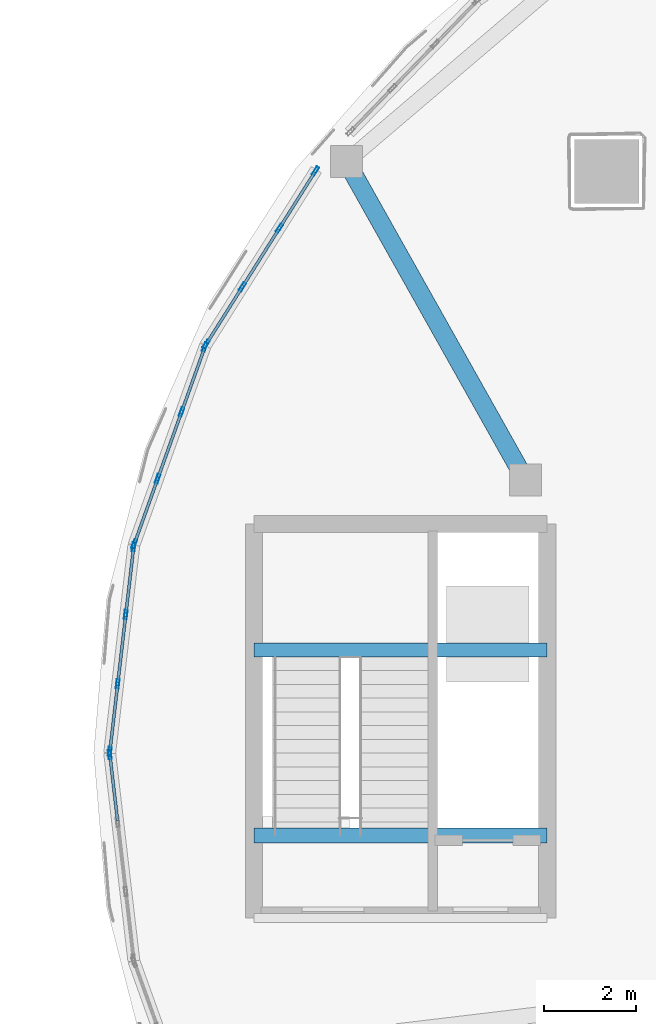
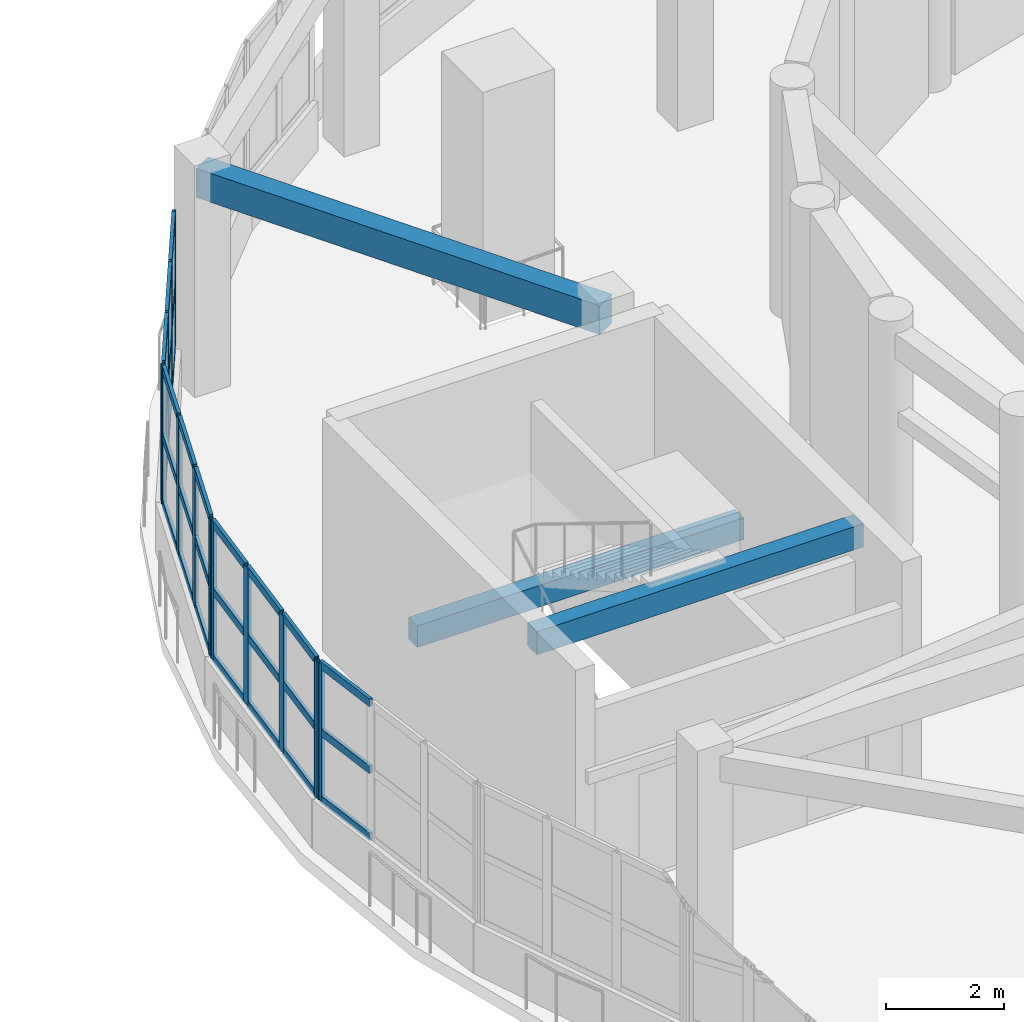
# One storey, part 38 of 98: 43 members, 3 beams, 4 elements without a shape of their own.
"""IFC4 building model written with IfcOpenShell, lengths in metres."""

from ifc_helpers import new_model, si_unit, direction, frame, origin, origin_2d, place, context, subcontext, project, spatial, rectangle, hollow_rectangle, extrude, material, layer, layer_set, material_profile, profile_set, type_object, element, aggregate, save


model = new_model("IFC4")

# Units and contexts
model_context = context("Model", 3, precision=1e-05, world=origin(), true_north=direction((0.0, 1.0)))
body_context = subcontext(model_context, "Body", "Model", "MODEL_VIEW")
ifc_project = project(units=[si_unit("LENGTHUNIT", "METRE"), si_unit("AREAUNIT", "SQUARE_METRE"), si_unit("VOLUMEUNIT", "CUBIC_METRE"), si_unit("PLANEANGLEUNIT", "RADIAN"), si_unit("MASSUNIT", "GRAM", prefix="KILO")], contexts=[model_context])

# Site, building, storey
site_placement = place(None, origin())
site = spatial("IfcSite", under=ifc_project, at=site_placement, CompositionType="ELEMENT")
building_placement = place(site_placement, origin())
building = spatial("IfcBuilding", under=site, at=building_placement, Name="Pelvatis Terrace Science Centre", CompositionType="ELEMENT")
storey_placement = place(building_placement, frame((0.0, 0.0, 5.39990234375)))
storey = spatial("IfcBuildingStorey", under=building, at=storey_placement, Name="L01", CompositionType="ELEMENT", Elevation=5.39990234375)

# Beams
ifc_material_1 = material(Name="Concrete C35/45", Category="concrete")
ifc_material_profile_1 = material_profile(ifc_material_1, rectangle(XDim=0.300048828125, YDim=0.449951171875, at=origin_2d()), Name="RC-BM 300x450")
ifc_profile_set_1 = profile_set([ifc_material_profile_1], Name="Concrete C35/45")
beam_type_1 = type_object("IfcBeamType", Name="BM-RC-300x450", PredefinedType="BEAM", material=ifc_profile_set_1)
beam_1_placement = place(storey_placement, frame((86.800048828125, 85.050048828125, 1.97509765625), z_axis=(1.0, 0.0, 0.0), x_axis=(0.0, 1.0, 0.0)))
element("IfcBeam", 1, at=beam_1_placement, inside=storey, type_object=beam_type_1, Name="Core C1 half-landing beam (L01)", PredefinedType="BEAM", context=body_context, shape_type="SweptSolid", body=[
    extrude(rectangle(XDim=0.300048828125, YDim=0.449951171875, at=origin_2d()), origin(), (0.0, 0.0, 1.0), 6.39990234375),
])
ifc_material_2 = material(Name="Concrete C35/45", Category="concrete")
ifc_material_profile_2 = material_profile(ifc_material_2, rectangle(XDim=0.320068359375, YDim=0.47998046875, at=origin_2d()), Name="RC-BM 320x480")
ifc_profile_set_2 = profile_set([ifc_material_profile_2], Name="Concrete C35/45")
beam_type_2 = type_object("IfcBeamType", Name="BM-RC-320x480", PredefinedType="BEAM", material=ifc_profile_set_2)
beam_2_placement = place(storey_placement, frame((86.800048828125, 81.0, 4.300048828125), z_axis=(1.0, 0.0, 0.0), x_axis=(0.0, 1.0, 0.0)))
element("IfcBeam", 2, at=beam_2_placement, inside=storey, type_object=beam_type_2, Name="Core C1 stair header beam (L01)", PredefinedType="BEAM", context=body_context, shape_type="SweptSolid", body=[
    extrude(rectangle(XDim=0.320068359375, YDim=0.47998046875, at=origin_2d()), origin(), (0.0, 0.0, 1.0), 6.39990234375),
])
ifc_material_3 = material(Name="Concrete C35/45", Category="concrete")
ifc_material_profile_3 = material_profile(ifc_material_3, rectangle(XDim=0.39990234375, YDim=0.60009765625, at=origin_2d()), Name="RC-BM 400x600")
ifc_profile_set_3 = profile_set([ifc_material_profile_3], Name="Concrete C35/45")
beam_type_3 = type_object("IfcBeamType", Name="BM-RC-400x600", PredefinedType="BEAM", material=ifc_profile_set_3)
beam_3_placement = place(storey_placement, frame((88.8203125, 95.71142578125, 4.239990234375), z_axis=(0.489826177205, -0.871820116839, 0.0), x_axis=(0.871820116839, 0.489826177205, 0.0)))
element("IfcBeam", 3, at=beam_3_placement, inside=storey, type_object=beam_type_3, Name="Beam BM-L01-2635", PredefinedType="BEAM", context=body_context, shape_type="SweptSolid", body=[
    extrude(rectangle(XDim=0.39990234375, YDim=0.60009765625, at=origin_2d()), origin(), (0.0, 0.0, 1.0), 7.96728515625),
])

# Curtain wall, members
ifc_material_4 = material(Name="Bronze-anodised aluminium and laminated glass", Category="aluminium")
ifc_layer = layer(ifc_material_4, 0.199951171875)
ifc_layer_set = layer_set([ifc_layer], Name="Bronze-anodised aluminium and laminated glass")
curtain_wall_type = type_object("IfcCurtainWallType", Name="CW-RIBBON-B", PredefinedType="NOTDEFINED", material=ifc_layer_set)
curtain_wall_1_placement = place(storey_placement, origin())
curtain_wall_1 = element("IfcCurtainWall", 4, at=curtain_wall_1_placement, inside=storey, type_object=curtain_wall_type, Name="Ribbon curtain wall CW-138 (L01)", PredefinedType="NOTDEFINED")
ifc_material_5 = material(Name="Bronze-anodised aluminium 6063-T6", Category="aluminium")
ifc_material_profile_4 = material_profile(ifc_material_5, hollow_rectangle(XDim=0.06494140625, YDim=0.199951171875, WallThickness=0.00439453125, at=origin_2d()), Name="ALU-MUL 65x200")
ifc_profile_set_4 = profile_set([ifc_material_profile_4], Name="Bronze-anodised aluminium 6063-T6")
member_type_1 = type_object("IfcMemberType", Name="CWM-65x200", PredefinedType="MULLION", material=ifc_profile_set_4)
member_1_placement = place(storey_placement, frame((88.14453125, 95.50830078125, 1.02001953125), z_axis=(0.0, 0.0, 1.0), x_axis=(0.845683079281, -0.533685421777, 0.0)))
member_1 = element("IfcMember", 5, at=member_1_placement, type_object=member_type_1, Name="CW-138 mullion 1", PredefinedType="MULLION", context=body_context, shape_type="SweptSolid", body=[
    extrude(hollow_rectangle(XDim=0.06494140625, YDim=0.199951171875, WallThickness=0.00439453125, at=origin_2d()), origin(), (0.0, 0.0, 1.0), 2.840087890625),
])
member_2_placement = place(storey_placement, frame((87.354248046875, 94.25634765625, 1.02001953125), z_axis=(0.0, 0.0, 1.0), x_axis=(0.845683079281, -0.533685421777, 0.0)))
member_2 = element("IfcMember", 6, at=member_2_placement, type_object=member_type_1, Name="CW-138 mullion 2", PredefinedType="MULLION", context=body_context, shape_type="SweptSolid", body=[
    extrude(hollow_rectangle(XDim=0.06494140625, YDim=0.199951171875, WallThickness=0.00439453125, at=origin_2d()), origin(), (0.0, 0.0, 1.0), 2.840087890625),
])
member_3_placement = place(storey_placement, frame((86.546875, 92.976806640625, 1.02001953125), z_axis=(0.0, 0.0, 1.0), x_axis=(0.845683079281, -0.533685421777, 0.0)))
member_3 = element("IfcMember", 7, at=member_3_placement, type_object=member_type_1, Name="CW-138 mullion 3", PredefinedType="MULLION", context=body_context, shape_type="SweptSolid", body=[
    extrude(hollow_rectangle(XDim=0.06494140625, YDim=0.199951171875, WallThickness=0.00439453125, at=origin_2d()), origin(), (0.0, 0.0, 1.0), 2.840087890625),
])
member_4_placement = place(storey_placement, frame((85.7568359375, 91.724853515625, 1.02001953125), z_axis=(0.0, 0.0, 1.0), x_axis=(0.845683079281, -0.533685421777, 0.0)))
member_4 = element("IfcMember", 8, at=member_4_placement, type_object=member_type_1, Name="CW-138 mullion 4", PredefinedType="MULLION", context=body_context, shape_type="SweptSolid", body=[
    extrude(hollow_rectangle(XDim=0.06494140625, YDim=0.199951171875, WallThickness=0.00439453125, at=origin_2d()), origin(), (0.0, 0.0, 1.0), 2.840087890625),
])

curtain_wall_2_placement = place(storey_placement, origin())
curtain_wall_2 = element("IfcCurtainWall", 9, at=curtain_wall_2_placement, inside=storey, type_object=curtain_wall_type, Name="Ribbon curtain wall CW-139 (L01)", PredefinedType="NOTDEFINED")
member_5_placement = place(storey_placement, frame((85.728515625, 91.666748046875, 1.02001953125), z_axis=(0.0, 0.0, 1.0), x_axis=(0.941441694511, -0.337175823328, 0.0)))
member_5 = element("IfcMember", 10, at=member_5_placement, type_object=member_type_1, Name="CW-139 mullion 1", PredefinedType="MULLION", context=body_context, shape_type="SweptSolid", body=[
    extrude(hollow_rectangle(XDim=0.06494140625, YDim=0.199951171875, WallThickness=0.00439453125, at=origin_2d()), origin(), (0.0, 0.0, 1.0), 2.840087890625),
])
member_6_placement = place(storey_placement, frame((85.21875, 90.24365234375, 1.02001953125), z_axis=(0.0, 0.0, 1.0), x_axis=(0.941441694511, -0.337175823328, 0.0)))
member_6 = element("IfcMember", 11, at=member_6_placement, type_object=member_type_1, Name="CW-139 mullion 2", PredefinedType="MULLION", context=body_context, shape_type="SweptSolid", body=[
    extrude(hollow_rectangle(XDim=0.06494140625, YDim=0.199951171875, WallThickness=0.00439453125, at=origin_2d()), origin(), (0.0, 0.0, 1.0), 2.840087890625),
])
member_7_placement = place(storey_placement, frame((84.697998046875, 88.78955078125, 1.02001953125), z_axis=(0.0, 0.0, 1.0), x_axis=(0.941441694511, -0.337175823328, 0.0)))
member_7 = element("IfcMember", 12, at=member_7_placement, type_object=member_type_1, Name="CW-139 mullion 3", PredefinedType="MULLION", context=body_context, shape_type="SweptSolid", body=[
    extrude(hollow_rectangle(XDim=0.06494140625, YDim=0.199951171875, WallThickness=0.00439453125, at=origin_2d()), origin(), (0.0, 0.0, 1.0), 2.840087890625),
])
member_8_placement = place(storey_placement, frame((84.1884765625, 87.366455078125, 1.02001953125), z_axis=(0.0, 0.0, 1.0), x_axis=(0.941441694511, -0.337175823328, 0.0)))
member_8 = element("IfcMember", 13, at=member_8_placement, type_object=member_type_1, Name="CW-139 mullion 4", PredefinedType="MULLION", context=body_context, shape_type="SweptSolid", body=[
    extrude(hollow_rectangle(XDim=0.06494140625, YDim=0.199951171875, WallThickness=0.00439453125, at=origin_2d()), origin(), (0.0, 0.0, 1.0), 2.840087890625),
])

curtain_wall_3_placement = place(storey_placement, origin())
curtain_wall_3 = element("IfcCurtainWall", 14, at=curtain_wall_3_placement, inside=storey, type_object=curtain_wall_type, Name="Ribbon curtain wall CW-140 (L01)", PredefinedType="NOTDEFINED")
member_9_placement = place(storey_placement, frame((84.173583984375, 87.303466796875, 1.02001953125), z_axis=(0.0, 0.0, 1.0), x_axis=(0.993307847727, -0.115496838239, 0.0)))
member_9 = element("IfcMember", 15, at=member_9_placement, type_object=member_type_1, Name="CW-140 mullion 1", PredefinedType="MULLION", context=body_context, shape_type="SweptSolid", body=[
    extrude(hollow_rectangle(XDim=0.06494140625, YDim=0.199951171875, WallThickness=0.00439453125, at=origin_2d()), origin(), (0.0, 0.0, 1.0), 2.840087890625),
])
member_10_placement = place(storey_placement, frame((84.001708984375, 85.823974609375, 1.02001953125), z_axis=(0.0, 0.0, 1.0), x_axis=(0.993307847727, -0.115496838239, 0.0)))
member_10 = element("IfcMember", 16, at=member_10_placement, type_object=member_type_1, Name="CW-140 mullion 2", PredefinedType="MULLION", context=body_context, shape_type="SweptSolid", body=[
    extrude(hollow_rectangle(XDim=0.06494140625, YDim=0.199951171875, WallThickness=0.00439453125, at=origin_2d()), origin(), (0.0, 0.0, 1.0), 2.840087890625),
])
member_11_placement = place(storey_placement, frame((83.82568359375, 84.31201171875, 1.02001953125), z_axis=(0.0, 0.0, 1.0), x_axis=(0.993307847727, -0.115496838239, 0.0)))
member_11 = element("IfcMember", 17, at=member_11_placement, type_object=member_type_1, Name="CW-140 mullion 3", PredefinedType="MULLION", context=body_context, shape_type="SweptSolid", body=[
    extrude(hollow_rectangle(XDim=0.06494140625, YDim=0.199951171875, WallThickness=0.00439453125, at=origin_2d()), origin(), (0.0, 0.0, 1.0), 2.840087890625),
])
member_12_placement = place(storey_placement, frame((83.65380859375, 82.832275390625, 1.02001953125), z_axis=(0.0, 0.0, 1.0), x_axis=(0.993307847727, -0.115496838239, 0.0)))
member_12 = element("IfcMember", 18, at=member_12_placement, type_object=member_type_1, Name="CW-140 mullion 4", PredefinedType="MULLION", context=body_context, shape_type="SweptSolid", body=[
    extrude(hollow_rectangle(XDim=0.06494140625, YDim=0.199951171875, WallThickness=0.00439453125, at=origin_2d()), origin(), (0.0, 0.0, 1.0), 2.840087890625),
])

# Curtain wall, member
curtain_wall_4_placement = place(storey_placement, origin())
curtain_wall_4 = element("IfcCurtainWall", 19, at=curtain_wall_4_placement, inside=storey, type_object=curtain_wall_type, Name="Ribbon curtain wall CW-141 (L01)", PredefinedType="NOTDEFINED")
member_13_placement = place(storey_placement, frame((83.65380859375, 82.767822265625, 1.02001953125), z_axis=(0.0, 0.0, 1.0), x_axis=(0.993307847727, 0.115496838239, 0.0)))
member_13 = element("IfcMember", 20, at=member_13_placement, type_object=member_type_1, Name="CW-141 mullion 1", PredefinedType="MULLION", context=body_context, shape_type="SweptSolid", body=[
    extrude(hollow_rectangle(XDim=0.06494140625, YDim=0.199951171875, WallThickness=0.00439453125, at=origin_2d()), origin(), (0.0, 0.0, 1.0), 2.840087890625),
])

# Member
ifc_material_6 = material(Name="Bronze-anodised aluminium 6063-T6", Category="aluminium")
ifc_material_profile_5 = material_profile(ifc_material_6, hollow_rectangle(XDim=0.06494140625, YDim=0.159912109375, WallThickness=0.00390625, at=origin_2d()), Name="ALU-TRN 65x160")
ifc_profile_set_5 = profile_set([ifc_material_profile_5], Name="Bronze-anodised aluminium 6063-T6")
member_type_2 = type_object("IfcMemberType", Name="CWT-65x160", PredefinedType="USERDEFINED", material=ifc_profile_set_5)
member_14_placement = place(storey_placement, frame((88.127197265625, 95.480712890625, 1.052490234375), z_axis=(-0.533746330428, -0.845644638577, 0.0), x_axis=(0.845644638577, -0.533746330428, 0.0)))
member_14 = element("IfcMember", 21, at=member_14_placement, type_object=member_type_2, Name="CW-138 transom 1.1", ObjectType="TRANSOM", PredefinedType="USERDEFINED", context=body_context, shape_type="SweptSolid", body=[
    extrude(hollow_rectangle(XDim=0.06494140625, YDim=0.159912109375, WallThickness=0.00390625, at=origin_2d()), origin(), (0.0, 0.0, 1.0), 1.415283203125),
])

member_15_placement = place(storey_placement, frame((88.127197265625, 95.480712890625, 2.440185546875), z_axis=(-0.533746330428, -0.845644638577, 0.0), x_axis=(0.845644638577, -0.533746330428, 0.0)))
member_15 = element("IfcMember", 22, at=member_15_placement, type_object=member_type_2, Name="CW-138 transom 1.2", ObjectType="TRANSOM", PredefinedType="USERDEFINED", context=body_context, shape_type="SweptSolid", body=[
    extrude(hollow_rectangle(XDim=0.06494140625, YDim=0.159912109375, WallThickness=0.00390625, at=origin_2d()), origin(), (0.0, 0.0, 1.0), 1.415283203125),
])

member_16_placement = place(storey_placement, frame((88.127197265625, 95.480712890625, 3.82763671875), z_axis=(-0.533746330428, -0.845644638577, 0.0), x_axis=(0.845644638577, -0.533746330428, 0.0)))
member_16 = element("IfcMember", 23, at=member_16_placement, type_object=member_type_2, Name="CW-138 transom 1.3", ObjectType="TRANSOM", PredefinedType="USERDEFINED", context=body_context, shape_type="SweptSolid", body=[
    extrude(hollow_rectangle(XDim=0.06494140625, YDim=0.159912109375, WallThickness=0.00390625, at=origin_2d()), origin(), (0.0, 0.0, 1.0), 1.415283203125),
])

member_17_placement = place(storey_placement, frame((87.3369140625, 94.228759765625, 1.052490234375), z_axis=(-0.533707462138, -0.845669169864, 0.0), x_axis=(0.845669169864, -0.533707462138, 0.0)))
member_17 = element("IfcMember", 24, at=member_17_placement, type_object=member_type_2, Name="CW-138 transom 2.1", ObjectType="TRANSOM", PredefinedType="USERDEFINED", context=body_context, shape_type="SweptSolid", body=[
    extrude(hollow_rectangle(XDim=0.06494140625, YDim=0.159912109375, WallThickness=0.00390625, at=origin_2d()), origin(), (0.0, 0.0, 1.0), 1.44775390625),
])

member_18_placement = place(storey_placement, frame((87.3369140625, 94.228759765625, 2.440185546875), z_axis=(-0.533707462138, -0.845669169864, 0.0), x_axis=(0.845669169864, -0.533707462138, 0.0)))
member_18 = element("IfcMember", 25, at=member_18_placement, type_object=member_type_2, Name="CW-138 transom 2.2", ObjectType="TRANSOM", PredefinedType="USERDEFINED", context=body_context, shape_type="SweptSolid", body=[
    extrude(hollow_rectangle(XDim=0.06494140625, YDim=0.159912109375, WallThickness=0.00390625, at=origin_2d()), origin(), (0.0, 0.0, 1.0), 1.44775390625),
])

member_19_placement = place(storey_placement, frame((87.3369140625, 94.228759765625, 3.82763671875), z_axis=(-0.533707462138, -0.845669169864, 0.0), x_axis=(0.845669169864, -0.533707462138, 0.0)))
member_19 = element("IfcMember", 26, at=member_19_placement, type_object=member_type_2, Name="CW-138 transom 2.3", ObjectType="TRANSOM", PredefinedType="USERDEFINED", context=body_context, shape_type="SweptSolid", body=[
    extrude(hollow_rectangle(XDim=0.06494140625, YDim=0.159912109375, WallThickness=0.00390625, at=origin_2d()), origin(), (0.0, 0.0, 1.0), 1.44775390625),
])

member_20_placement = place(storey_placement, frame((86.529541015625, 92.949462890625, 1.052490234375), z_axis=(-0.533668475401, -0.845693773397, 0.0), x_axis=(0.845693773397, -0.533668475401, 0.0)))
member_20 = element("IfcMember", 27, at=member_20_placement, type_object=member_type_2, Name="CW-138 transom 3.1", ObjectType="TRANSOM", PredefinedType="USERDEFINED", context=body_context, shape_type="SweptSolid", body=[
    extrude(hollow_rectangle(XDim=0.06494140625, YDim=0.159912109375, WallThickness=0.00390625, at=origin_2d()), origin(), (0.0, 0.0, 1.0), 1.41552734375),
])

member_21_placement = place(storey_placement, frame((86.529541015625, 92.949462890625, 2.440185546875), z_axis=(-0.533668475401, -0.845693773397, 0.0), x_axis=(0.845693773397, -0.533668475401, 0.0)))
member_21 = element("IfcMember", 28, at=member_21_placement, type_object=member_type_2, Name="CW-138 transom 3.2", ObjectType="TRANSOM", PredefinedType="USERDEFINED", context=body_context, shape_type="SweptSolid", body=[
    extrude(hollow_rectangle(XDim=0.06494140625, YDim=0.159912109375, WallThickness=0.00390625, at=origin_2d()), origin(), (0.0, 0.0, 1.0), 1.41552734375),
])

member_22_placement = place(storey_placement, frame((86.529541015625, 92.949462890625, 3.82763671875), z_axis=(-0.533668475401, -0.845693773397, 0.0), x_axis=(0.845693773397, -0.533668475401, 0.0)))
member_22 = element("IfcMember", 29, at=member_22_placement, type_object=member_type_2, Name="CW-138 transom 3.3", ObjectType="TRANSOM", PredefinedType="USERDEFINED", context=body_context, shape_type="SweptSolid", body=[
    extrude(hollow_rectangle(XDim=0.06494140625, YDim=0.159912109375, WallThickness=0.00390625, at=origin_2d()), origin(), (0.0, 0.0, 1.0), 1.41552734375),
])

aggregate(curtain_wall_1, [member_1, member_2, member_3, member_4, member_14, member_15, member_16, member_17, member_18, member_19, member_20, member_21, member_22])

member_23_placement = place(storey_placement, frame((85.717529296875, 91.63623046875, 1.052490234375), z_axis=(-0.337159394427, -0.941447578333, 0.0), x_axis=(0.941447578333, -0.337159394427, 0.0)))
member_23 = element("IfcMember", 30, at=member_23_placement, type_object=member_type_2, Name="CW-139 transom 1.1", ObjectType="TRANSOM", PredefinedType="USERDEFINED", context=body_context, shape_type="SweptSolid", body=[
    extrude(hollow_rectangle(XDim=0.06494140625, YDim=0.159912109375, WallThickness=0.00390625, at=origin_2d()), origin(), (0.0, 0.0, 1.0), 1.44677734375),
])

member_24_placement = place(storey_placement, frame((85.717529296875, 91.63623046875, 2.440185546875), z_axis=(-0.337159394427, -0.941447578333, 0.0), x_axis=(0.941447578333, -0.337159394427, 0.0)))
member_24 = element("IfcMember", 31, at=member_24_placement, type_object=member_type_2, Name="CW-139 transom 1.2", ObjectType="TRANSOM", PredefinedType="USERDEFINED", context=body_context, shape_type="SweptSolid", body=[
    extrude(hollow_rectangle(XDim=0.06494140625, YDim=0.159912109375, WallThickness=0.00390625, at=origin_2d()), origin(), (0.0, 0.0, 1.0), 1.44677734375),
])

member_25_placement = place(storey_placement, frame((85.717529296875, 91.63623046875, 3.82763671875), z_axis=(-0.337159394427, -0.941447578333, 0.0), x_axis=(0.941447578333, -0.337159394427, 0.0)))
member_25 = element("IfcMember", 32, at=member_25_placement, type_object=member_type_2, Name="CW-139 transom 1.3", ObjectType="TRANSOM", PredefinedType="USERDEFINED", context=body_context, shape_type="SweptSolid", body=[
    extrude(hollow_rectangle(XDim=0.06494140625, YDim=0.159912109375, WallThickness=0.00390625, at=origin_2d()), origin(), (0.0, 0.0, 1.0), 1.44677734375),
])

member_26_placement = place(storey_placement, frame((85.207763671875, 90.212890625, 1.052490234375), z_axis=(-0.337193612424, -0.941435323185, 0.0), x_axis=(0.941435323185, -0.337193612424, 0.0)))
member_26 = element("IfcMember", 33, at=member_26_placement, type_object=member_type_2, Name="CW-139 transom 2.1", ObjectType="TRANSOM", PredefinedType="USERDEFINED", context=body_context, shape_type="SweptSolid", body=[
    extrude(hollow_rectangle(XDim=0.06494140625, YDim=0.159912109375, WallThickness=0.00390625, at=origin_2d()), origin(), (0.0, 0.0, 1.0), 1.479248046875),
])

member_27_placement = place(storey_placement, frame((85.207763671875, 90.212890625, 2.440185546875), z_axis=(-0.337193612424, -0.941435323185, 0.0), x_axis=(0.941435323185, -0.337193612424, 0.0)))
member_27 = element("IfcMember", 34, at=member_27_placement, type_object=member_type_2, Name="CW-139 transom 2.2", ObjectType="TRANSOM", PredefinedType="USERDEFINED", context=body_context, shape_type="SweptSolid", body=[
    extrude(hollow_rectangle(XDim=0.06494140625, YDim=0.159912109375, WallThickness=0.00390625, at=origin_2d()), origin(), (0.0, 0.0, 1.0), 1.479248046875),
])

member_28_placement = place(storey_placement, frame((85.207763671875, 90.212890625, 3.82763671875), z_axis=(-0.337193612424, -0.941435323185, 0.0), x_axis=(0.941435323185, -0.337193612424, 0.0)))
member_28 = element("IfcMember", 35, at=member_28_placement, type_object=member_type_2, Name="CW-139 transom 2.3", ObjectType="TRANSOM", PredefinedType="USERDEFINED", context=body_context, shape_type="SweptSolid", body=[
    extrude(hollow_rectangle(XDim=0.06494140625, YDim=0.159912109375, WallThickness=0.00390625, at=origin_2d()), origin(), (0.0, 0.0, 1.0), 1.479248046875),
])

member_29_placement = place(storey_placement, frame((84.687255859375, 88.759033203125, 1.052490234375), z_axis=(-0.337308947382, -0.941394005726, 0.0), x_axis=(0.941394005726, -0.337308947382, 0.0)))
member_29 = element("IfcMember", 36, at=member_29_placement, type_object=member_type_2, Name="CW-139 transom 3.1", ObjectType="TRANSOM", PredefinedType="USERDEFINED", context=body_context, shape_type="SweptSolid", body=[
    extrude(hollow_rectangle(XDim=0.06494140625, YDim=0.159912109375, WallThickness=0.00390625, at=origin_2d()), origin(), (0.0, 0.0, 1.0), 1.44677734375),
])

member_30_placement = place(storey_placement, frame((84.687255859375, 88.759033203125, 2.440185546875), z_axis=(-0.337308947382, -0.941394005726, 0.0), x_axis=(0.941394005726, -0.337308947382, 0.0)))
member_30 = element("IfcMember", 37, at=member_30_placement, type_object=member_type_2, Name="CW-139 transom 3.2", ObjectType="TRANSOM", PredefinedType="USERDEFINED", context=body_context, shape_type="SweptSolid", body=[
    extrude(hollow_rectangle(XDim=0.06494140625, YDim=0.159912109375, WallThickness=0.00390625, at=origin_2d()), origin(), (0.0, 0.0, 1.0), 1.44677734375),
])

member_31_placement = place(storey_placement, frame((84.687255859375, 88.759033203125, 3.82763671875), z_axis=(-0.337308947382, -0.941394005726, 0.0), x_axis=(0.941394005726, -0.337308947382, 0.0)))
member_31 = element("IfcMember", 38, at=member_31_placement, type_object=member_type_2, Name="CW-139 transom 3.3", ObjectType="TRANSOM", PredefinedType="USERDEFINED", context=body_context, shape_type="SweptSolid", body=[
    extrude(hollow_rectangle(XDim=0.06494140625, YDim=0.159912109375, WallThickness=0.00390625, at=origin_2d()), origin(), (0.0, 0.0, 1.0), 1.44677734375),
])

aggregate(curtain_wall_2, [member_5, member_6, member_7, member_8, member_23, member_24, member_25, member_26, member_27, member_28, member_29, member_30, member_31])

member_32_placement = place(storey_placement, frame((84.169921875, 87.271240234375, 1.052490234375), z_axis=(-0.1155087229, -0.993306465767, 0.0), x_axis=(0.993306465767, -0.1155087229, 0.0)))
member_32 = element("IfcMember", 39, at=member_32_placement, type_object=member_type_2, Name="CW-140 transom 1.1", ObjectType="TRANSOM", PredefinedType="USERDEFINED", context=body_context, shape_type="SweptSolid", body=[
    extrude(hollow_rectangle(XDim=0.06494140625, YDim=0.159912109375, WallThickness=0.00390625, at=origin_2d()), origin(), (0.0, 0.0, 1.0), 1.424560546875),
])

member_33_placement = place(storey_placement, frame((84.169921875, 87.271240234375, 2.440185546875), z_axis=(-0.1155087229, -0.993306465767, 0.0), x_axis=(0.993306465767, -0.1155087229, 0.0)))
member_33 = element("IfcMember", 40, at=member_33_placement, type_object=member_type_2, Name="CW-140 transom 1.2", ObjectType="TRANSOM", PredefinedType="USERDEFINED", context=body_context, shape_type="SweptSolid", body=[
    extrude(hollow_rectangle(XDim=0.06494140625, YDim=0.159912109375, WallThickness=0.00390625, at=origin_2d()), origin(), (0.0, 0.0, 1.0), 1.424560546875),
])

member_34_placement = place(storey_placement, frame((84.169921875, 87.271240234375, 3.82763671875), z_axis=(-0.1155087229, -0.993306465767, 0.0), x_axis=(0.993306465767, -0.1155087229, 0.0)))
member_34 = element("IfcMember", 41, at=member_34_placement, type_object=member_type_2, Name="CW-140 transom 1.3", ObjectType="TRANSOM", PredefinedType="USERDEFINED", context=body_context, shape_type="SweptSolid", body=[
    extrude(hollow_rectangle(XDim=0.06494140625, YDim=0.159912109375, WallThickness=0.00390625, at=origin_2d()), origin(), (0.0, 0.0, 1.0), 1.424560546875),
])

member_35_placement = place(storey_placement, frame((83.997802734375, 85.79150390625, 1.052490234375), z_axis=(-0.115450875269, -0.993313190992, 0.0), x_axis=(0.993313190992, -0.115450875269, 0.0)))
member_35 = element("IfcMember", 42, at=member_35_placement, type_object=member_type_2, Name="CW-140 transom 2.1", ObjectType="TRANSOM", PredefinedType="USERDEFINED", context=body_context, shape_type="SweptSolid", body=[
    extrude(hollow_rectangle(XDim=0.06494140625, YDim=0.159912109375, WallThickness=0.00390625, at=origin_2d()), origin(), (0.0, 0.0, 1.0), 1.45703125),
])

member_36_placement = place(storey_placement, frame((83.997802734375, 85.79150390625, 2.440185546875), z_axis=(-0.115450875269, -0.993313190992, 0.0), x_axis=(0.993313190992, -0.115450875269, 0.0)))
member_36 = element("IfcMember", 43, at=member_36_placement, type_object=member_type_2, Name="CW-140 transom 2.2", ObjectType="TRANSOM", PredefinedType="USERDEFINED", context=body_context, shape_type="SweptSolid", body=[
    extrude(hollow_rectangle(XDim=0.06494140625, YDim=0.159912109375, WallThickness=0.00390625, at=origin_2d()), origin(), (0.0, 0.0, 1.0), 1.45703125),
])

member_37_placement = place(storey_placement, frame((83.997802734375, 85.79150390625, 3.82763671875), z_axis=(-0.115450875269, -0.993313190992, 0.0), x_axis=(0.993313190992, -0.115450875269, 0.0)))
member_37 = element("IfcMember", 44, at=member_37_placement, type_object=member_type_2, Name="CW-140 transom 2.3", ObjectType="TRANSOM", PredefinedType="USERDEFINED", context=body_context, shape_type="SweptSolid", body=[
    extrude(hollow_rectangle(XDim=0.06494140625, YDim=0.159912109375, WallThickness=0.00390625, at=origin_2d()), origin(), (0.0, 0.0, 1.0), 1.45703125),
])

member_38_placement = place(storey_placement, frame((83.822021484375, 84.279541015625, 1.052490234375), z_axis=(-0.1155087229, -0.993306465767, 0.0), x_axis=(0.993306465767, -0.1155087229, 0.0)))
member_38 = element("IfcMember", 45, at=member_38_placement, type_object=member_type_2, Name="CW-140 transom 3.1", ObjectType="TRANSOM", PredefinedType="USERDEFINED", context=body_context, shape_type="SweptSolid", body=[
    extrude(hollow_rectangle(XDim=0.06494140625, YDim=0.159912109375, WallThickness=0.00390625, at=origin_2d()), origin(), (0.0, 0.0, 1.0), 1.424560546875),
])

member_39_placement = place(storey_placement, frame((83.822021484375, 84.279541015625, 2.440185546875), z_axis=(-0.1155087229, -0.993306465767, 0.0), x_axis=(0.993306465767, -0.1155087229, 0.0)))
member_39 = element("IfcMember", 46, at=member_39_placement, type_object=member_type_2, Name="CW-140 transom 3.2", ObjectType="TRANSOM", PredefinedType="USERDEFINED", context=body_context, shape_type="SweptSolid", body=[
    extrude(hollow_rectangle(XDim=0.06494140625, YDim=0.159912109375, WallThickness=0.00390625, at=origin_2d()), origin(), (0.0, 0.0, 1.0), 1.424560546875),
])

member_40_placement = place(storey_placement, frame((83.822021484375, 84.279541015625, 3.82763671875), z_axis=(-0.1155087229, -0.993306465767, 0.0), x_axis=(0.993306465767, -0.1155087229, 0.0)))
member_40 = element("IfcMember", 47, at=member_40_placement, type_object=member_type_2, Name="CW-140 transom 3.3", ObjectType="TRANSOM", PredefinedType="USERDEFINED", context=body_context, shape_type="SweptSolid", body=[
    extrude(hollow_rectangle(XDim=0.06494140625, YDim=0.159912109375, WallThickness=0.00390625, at=origin_2d()), origin(), (0.0, 0.0, 1.0), 1.424560546875),
])

aggregate(curtain_wall_3, [member_9, member_10, member_11, member_12, member_32, member_33, member_34, member_35, member_36, member_37, member_38, member_39, member_40])

member_41_placement = place(storey_placement, frame((83.657470703125, 82.7353515625, 1.052490234375), z_axis=(0.1155087229, -0.993306465767, 0.0), x_axis=(0.993306465767, 0.1155087229, 0.0)))
member_41 = element("IfcMember", 48, at=member_41_placement, type_object=member_type_2, Name="CW-141 transom 1.1", ObjectType="TRANSOM", PredefinedType="USERDEFINED", context=body_context, shape_type="SweptSolid", body=[
    extrude(hollow_rectangle(XDim=0.06494140625, YDim=0.159912109375, WallThickness=0.00390625, at=origin_2d()), origin(), (0.0, 0.0, 1.0), 1.424560546875),
])

member_42_placement = place(storey_placement, frame((83.657470703125, 82.7353515625, 2.440185546875), z_axis=(0.1155087229, -0.993306465767, 0.0), x_axis=(0.993306465767, 0.1155087229, 0.0)))
member_42 = element("IfcMember", 49, at=member_42_placement, type_object=member_type_2, Name="CW-141 transom 1.2", ObjectType="TRANSOM", PredefinedType="USERDEFINED", context=body_context, shape_type="SweptSolid", body=[
    extrude(hollow_rectangle(XDim=0.06494140625, YDim=0.159912109375, WallThickness=0.00390625, at=origin_2d()), origin(), (0.0, 0.0, 1.0), 1.424560546875),
])

member_43_placement = place(storey_placement, frame((83.657470703125, 82.7353515625, 3.82763671875), z_axis=(0.1155087229, -0.993306465767, 0.0), x_axis=(0.993306465767, 0.1155087229, 0.0)))
member_43 = element("IfcMember", 50, at=member_43_placement, type_object=member_type_2, Name="CW-141 transom 1.3", ObjectType="TRANSOM", PredefinedType="USERDEFINED", context=body_context, shape_type="SweptSolid", body=[
    extrude(hollow_rectangle(XDim=0.06494140625, YDim=0.159912109375, WallThickness=0.00390625, at=origin_2d()), origin(), (0.0, 0.0, 1.0), 1.424560546875),
])

aggregate(curtain_wall_4, [member_13, member_41, member_42, member_43])

save(model, "model.ifc")
